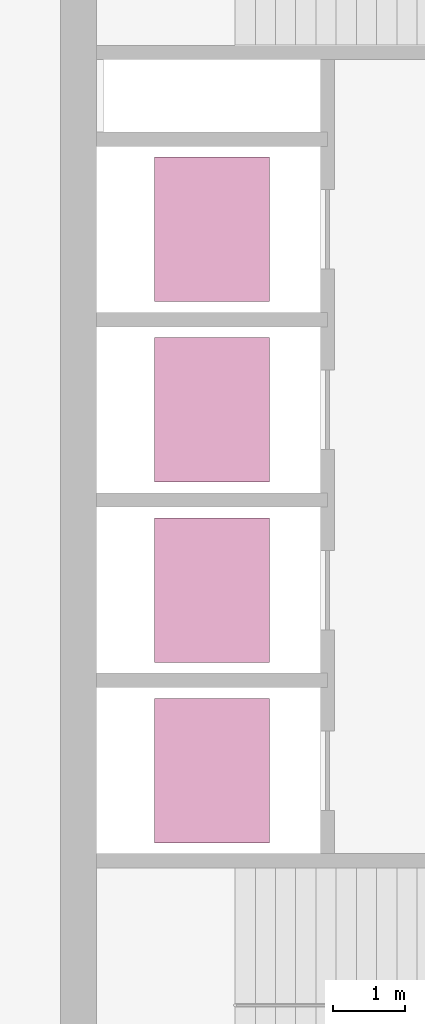
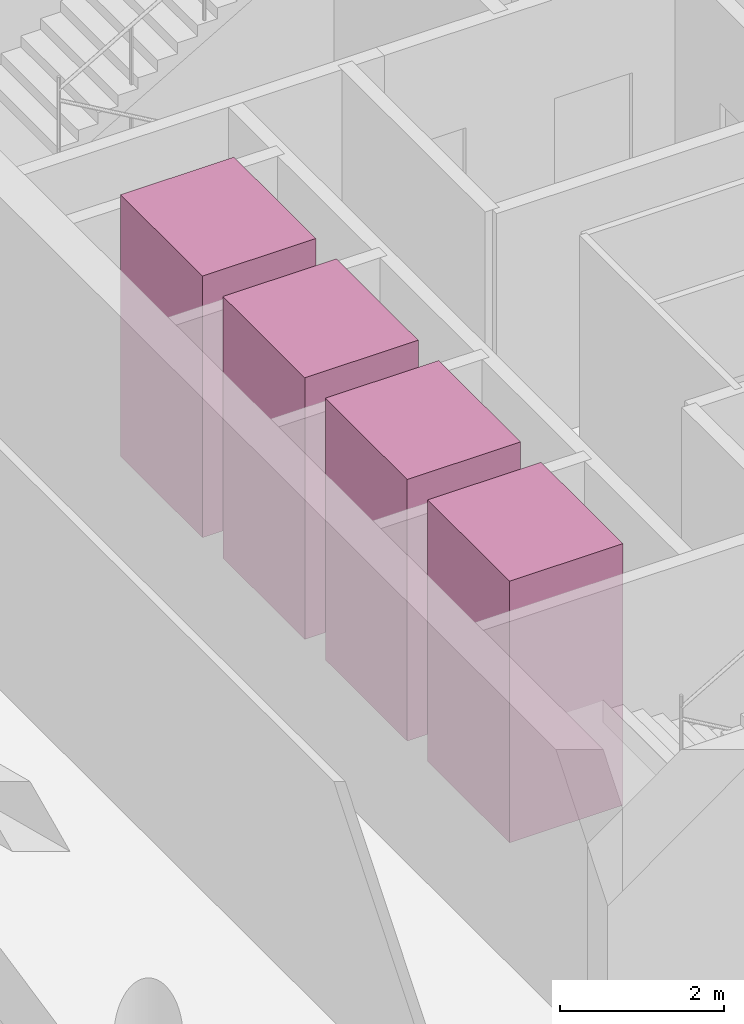
# One storey, part 8 of 8: 4 transport elements.
"""IFC4 building model written with IfcOpenShell, lengths in metres."""

from ifc_helpers import new_model, si_unit, direction, frame, origin, origin_2d, place, context, subcontext, project, spatial, rectangle, extrude, material, type_object, element, save


model = new_model("IFC4")

# Units and contexts
model_context = context("Model", 3, precision=1e-05, world=origin(), true_north=direction((0.0, 1.0)))
body_context = subcontext(model_context, "Body", "Model", "MODEL_VIEW")
ifc_project = project(units=[si_unit("LENGTHUNIT", "METRE"), si_unit("AREAUNIT", "SQUARE_METRE"), si_unit("VOLUMEUNIT", "CUBIC_METRE"), si_unit("PLANEANGLEUNIT", "RADIAN"), si_unit("MASSUNIT", "GRAM", prefix="KILO")], contexts=[model_context])

# Site, building, storey
site_placement = place(None, origin())
site = spatial("IfcSite", under=ifc_project, at=site_placement, CompositionType="ELEMENT")
building_placement = place(site_placement, origin())
building = spatial("IfcBuilding", under=site, at=building_placement, Name="Qaws Garden Tower", CompositionType="ELEMENT")
storey_placement = place(building_placement, frame((0.0, 0.0, 337.199951171875)))
storey = spatial("IfcBuildingStorey", under=building, at=storey_placement, Name="L82", CompositionType="ELEMENT", Elevation=337.199951171875)

# Transport elements
ifc_material = material(Name="Stainless steel 316", Category="steel")
transport_element_type = type_object("IfcTransportElementType", Name="Passenger lift car 2000x1600 1800 kg", PredefinedType="ELEVATOR", material=ifc_material)
for number, where, z_axis, x_axis, name in (
    (1, (10.10009765625, 13.64990234375, 0.0), (0.0, 0.0, 1.0), (1.0, 0.0, 0.0), "HR1"),
    (2, (10.10009765625, 16.14990234375, 0.0), (0.0, 0.0, 1.0), (1.0, 0.0, 0.0), "HR2"),
    (3, (10.10009765625, 18.64990234375, 0.0), (0.0, 0.0, 1.0), (1.0, 0.0, 0.0), "HR3"),
    (4, (10.10009765625, 21.14990234375, 0.0), (0.0, 0.0, 1.0), (1.0, 0.0, 0.0), "HR4"),
):
    element("IfcTransportElement", number, at=place(storey_placement, frame(where, z_axis=z_axis, x_axis=x_axis)), inside=storey, type_object=transport_element_type, Name=name, PredefinedType="ELEVATOR", context=body_context, shape_type="SweptSolid", body=[
        extrude(rectangle(XDim=1.60009765625, YDim=2.0, at=origin_2d()), origin(), (0.0, 0.0, 1.0), 3.89990234375),
    ])

save(model, "model.ifc")
